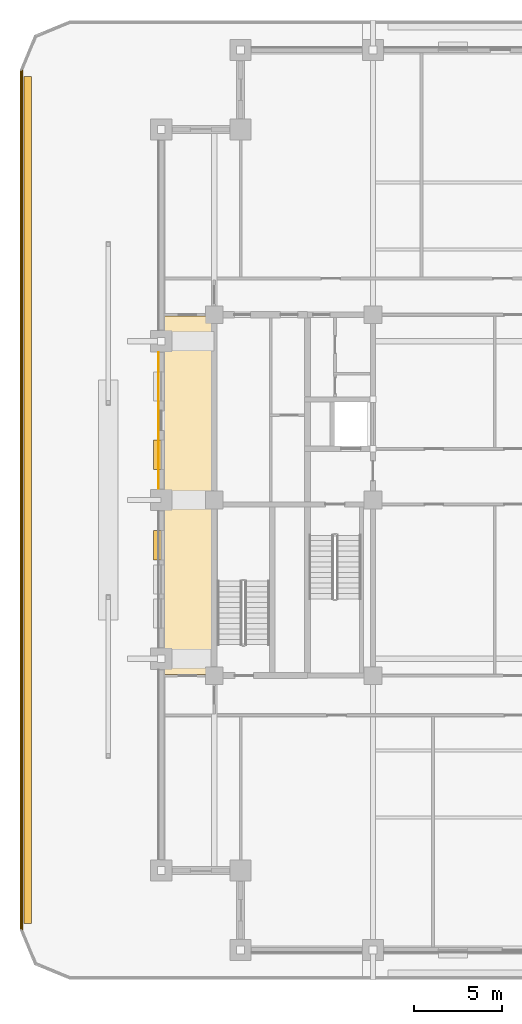
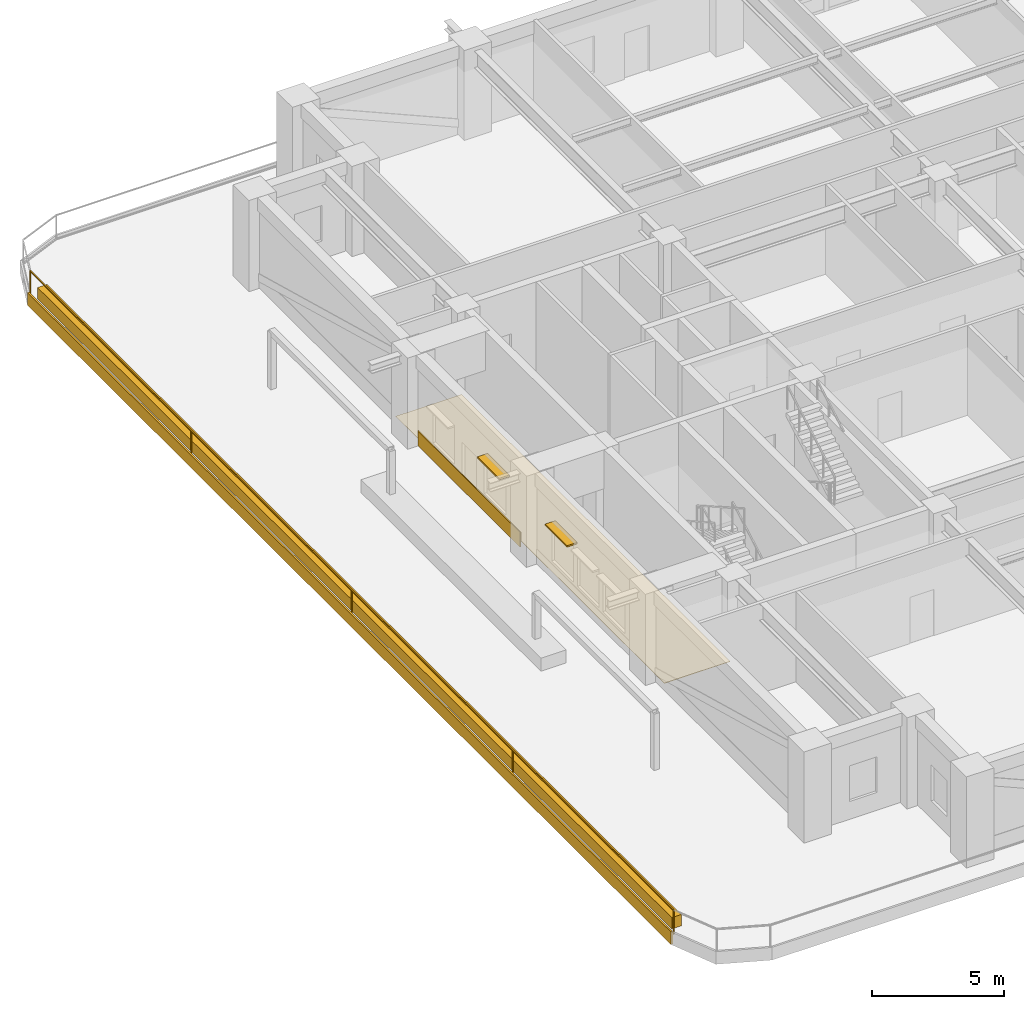
# One storey, part 15 of 21: 4 coverings, 2 shading devices, 1 railing.
"""IFC4 building model written with IfcOpenShell, lengths in metres."""

import ifcopenshell
import ifcopenshell.guid

model = None  # the IFC model being written
_history = None  # IfcOwnerHistory: only IFC2X3 demands one
_inside = {}  # id of a spatial element -> (the spatial element, [elements in it])
_under = {}  # id of a project, library or spatial element -> (it, [spatial elements below it])
_declared = {}  # id of a project -> (the project, [libraries it declares])
_typed = {}  # id of a type object -> (the type object, [elements of that type])
_made_of = {}  # id of a material, layer set ... -> (it, [elements and type objects made of it])


def new_model(schema):
    """Start an empty IFC model of exactly this schema.

    Asked for "IFC4X3", IfcOpenShell would pick the latest addendum, in which some entities
    have other attributes; the version numbers below select the first issue.
    IFC2X3 requires an IfcOwnerHistory on every rooted entity: one is made here for all.
    """
    global model, _history
    if schema == "IFC4X3":
        model = ifcopenshell.file(schema_version=(4, 3, 0, 0))
    else:
        model = ifcopenshell.file(schema=schema)
    _inside.clear()
    _under.clear()
    _declared.clear()
    _typed.clear()
    _made_of.clear()
    _history = None
    if model.schema == "IFC2X3":
        org = make("IfcOrganization", Name="unknown")
        user = make(
            "IfcPersonAndOrganization",
            ThePerson=make("IfcPerson", FamilyName="unknown"),
            TheOrganization=org,
        )
        app = make(
            "IfcApplication",
            ApplicationDeveloper=org,
            Version="unknown",
            ApplicationFullName="unknown",
            ApplicationIdentifier="unknown",
        )
        _history = make(
            "IfcOwnerHistory",
            OwningUser=user,
            OwningApplication=app,
            ChangeAction="ADDED",
            CreationDate=0,
        )
    return model


def make(cls, **values):
    """One entity of the class cls with the attributes given. An attribute that is None is left unset."""
    return model.create_entity(
        cls, **{name: value for name, value in values.items() if value is not None}
    )


def rooted(cls, **values):
    """An entity with a GlobalId (a new one), such as an element, a storey or a relation."""
    return make(cls, GlobalId=ifcopenshell.guid.new(), OwnerHistory=_history, **values)


def si_unit(unit_type, name, prefix=None):
    """IfcSIUnit, for example si_unit("LENGTHUNIT", "METRE", prefix="MILLI")."""
    return make("IfcSIUnit", UnitType=unit_type, Prefix=prefix, Name=name)


def assignment(units):
    """IfcUnitAssignment: the units of a project."""
    return None if units is None else make("IfcUnitAssignment", Units=units)


def point(xyz):
    """IfcCartesianPoint."""
    return None if xyz is None else make("IfcCartesianPoint", Coordinates=xyz)


def direction(xyz):
    """IfcDirection."""
    return None if xyz is None else make("IfcDirection", DirectionRatios=xyz)


def frame(location, z_axis=None, x_axis=None):
    """IfcAxis2Placement3D, a coordinate frame: its origin and axes. An axis left out is left unset."""
    return make(
        "IfcAxis2Placement3D",
        Location=point(location),
        Axis=direction(z_axis),
        RefDirection=direction(x_axis),
    )


def frame_2d(location, x_axis=None):
    """IfcAxis2Placement2D, a coordinate frame in the plane: its origin and x axis."""
    return make(
        "IfcAxis2Placement2D", Location=point(location), RefDirection=direction(x_axis)
    )


def origin():
    """The frame at (0, 0, 0) with its axes left unset."""
    return frame((0.0, 0.0, 0.0))


def origin_2d():
    """The frame at (0, 0) in the plane with its x axis left unset."""
    return frame_2d((0.0, 0.0))


def place(relative_to, where):
    """IfcLocalPlacement: puts the frame where relative to a parent placement (None: the world)."""
    return make(
        "IfcLocalPlacement", PlacementRelTo=relative_to, RelativePlacement=where
    )


def context(
    kind, dimensions, precision=None, world=None, true_north=None, identifier=None
):
    """IfcGeometricRepresentationContext, for example the 3D "Model" context."""
    return make(
        "IfcGeometricRepresentationContext",
        ContextIdentifier=identifier,
        ContextType=kind,
        CoordinateSpaceDimension=dimensions,
        Precision=precision,
        WorldCoordinateSystem=world,
        TrueNorth=true_north,
    )


def subcontext(parent, identifier, kind, view, scale=None):
    """IfcGeometricRepresentationSubContext, for example "Body" below "Model"."""
    return make(
        "IfcGeometricRepresentationSubContext",
        ContextIdentifier=identifier,
        ContextType=kind,
        ParentContext=parent,
        TargetScale=scale,
        TargetView=view,
    )


def project(units=None, contexts=None):
    """IfcProject with its units and contexts."""
    return rooted(
        "IfcProject",
        Name="project",
        RepresentationContexts=contexts,
        UnitsInContext=assignment(units),
    )


def spatial(cls, under=None, at=None, **own):
    """A site, building, storey or space (cls), placed at a placement, below another one or the project."""
    s = rooted(cls, ObjectPlacement=at, **own)
    if under is not None:
        _under.setdefault(under.id(), (under, []))[1].append(s)
    return s


def polyline(points):
    """IfcPolyline through the points."""
    return make("IfcPolyline", Points=[point(p) for p in points])


def profile(cls, at=None, kind="AREA", **sizes):
    """A parametric profile (cls). Its sizes go by their IFC names, for example OverallWidth=200.0."""
    return make(cls, ProfileType=kind, Position=at, **sizes)


def rectangle(**sizes):
    """IfcRectangleProfileDef."""
    return profile("IfcRectangleProfileDef", **sizes)


def outline(outer, holes=None, kind="AREA"):
    """IfcArbitraryClosedProfileDef: a profile drawn as a closed curve; with holes, ...WithVoids."""
    if holes is None:
        return make("IfcArbitraryClosedProfileDef", ProfileType=kind, OuterCurve=outer)
    return make(
        "IfcArbitraryProfileDefWithVoids",
        ProfileType=kind,
        OuterCurve=outer,
        InnerCurves=holes,
    )


def extrude(swept, where, along, depth):
    """IfcExtrudedAreaSolid: the profile swept, set in the frame where, extruded along a direction by depth."""
    return make(
        "IfcExtrudedAreaSolid",
        SweptArea=swept,
        Position=where,
        ExtrudedDirection=direction(along),
        Depth=depth,
    )


def shape(context_of_items, identifier, shape_type, items):
    """IfcShapeRepresentation: the items that make up one representation, for example the "Body"."""
    return make(
        "IfcShapeRepresentation",
        ContextOfItems=context_of_items,
        RepresentationIdentifier=identifier,
        RepresentationType=shape_type,
        Items=items,
    )


def material(Name=None, Category=None):
    """IfcMaterial."""
    return make("IfcMaterial", Name=Name, Category=Category)


def layer(
    of_material, thickness, ventilated=None, Name=None, Category=None, Priority=None
):
    """IfcMaterialLayer: one layer of a wall or slab, of a material (None: an air gap)."""
    return make(
        "IfcMaterialLayer",
        Material=of_material,
        LayerThickness=thickness,
        IsVentilated=ventilated,
        Name=Name,
        Category=Category,
        Priority=Priority,
    )


def layer_set(layers, Name=None):
    """IfcMaterialLayerSet."""
    return make("IfcMaterialLayerSet", MaterialLayers=layers, LayerSetName=Name)


def made_of(thing, what):
    """Note that an element or type object is made of a material, layer set ...; save() writes the relation."""
    if what is not None:
        _made_of.setdefault(what.id(), (what, []))[1].append(thing)
    return thing


def type_object(cls, material=None, **own):
    """A type object (cls), such as IfcWallType, which elements share."""
    return made_of(rooted(cls, **own), material)


def element(
    cls,
    number,
    at=None,
    inside=None,
    cuts=None,
    type_object=None,
    material=None,
    context=None,
    identifier="Body",
    shape_type=None,
    held_by="IfcProductDefinitionShape",
    body=None,
    shapes=None,
    **own,
):
    """One element of the class cls, such as IfcWall. Its Tag is "e" and its number.

    at: its placement. inside: the storey or other place that contains it. cuts: it is an
    opening in that element (IfcRelVoidsElement). A single representation is given by context,
    identifier, shape_type and body (its items); several are given by shapes. held_by: the class
    of the entity that holds the representations. save() writes the other relations.
    """
    e = rooted(cls, Tag="e%d" % number, ObjectPlacement=at, **own)
    if body is not None:
        shapes = [shape(context, identifier, shape_type, body)]
    if shapes is not None:
        e.Representation = make(held_by, Representations=shapes)
    if inside is not None:
        _inside.setdefault(inside.id(), (inside, []))[1].append(e)
    if cuts is not None:
        rooted(
            "IfcRelVoidsElement", RelatingBuildingElement=cuts, RelatedOpeningElement=e
        )
    if type_object is not None:
        _typed.setdefault(type_object.id(), (type_object, []))[1].append(e)
    return made_of(e, material)


def aggregate(whole, parts):
    """IfcRelAggregates: a whole, such as a stair, and the parts it consists of."""
    return rooted("IfcRelAggregates", RelatingObject=whole, RelatedObjects=parts)


def save(model, path):
    """Write the relations noted so far, then the file.

    IfcRelAggregates (storeys below a building ...), IfcRelContainedInSpatialStructure (elements
    in a storey), IfcRelDefinesByType, IfcRelAssociatesMaterial and IfcRelDeclares: one each for
    every whole, place, type object, material and project.
    """
    for whole, parts in _under.values():
        aggregate(whole, parts)
    for where, things in _inside.values():
        rooted(
            "IfcRelContainedInSpatialStructure",
            RelatedElements=things,
            RelatingStructure=where,
        )
    for kind, things in _typed.values():
        rooted("IfcRelDefinesByType", RelatedObjects=things, RelatingType=kind)
    for what, things in _made_of.values():
        rooted("IfcRelAssociatesMaterial", RelatedObjects=things, RelatingMaterial=what)
    for by, libraries in _declared.values():
        rooted("IfcRelDeclares", RelatingContext=by, RelatedDefinitions=libraries)
    model.write(path)


model = new_model("IFC4")

# Units and contexts
model_context = context("Model", 3, precision=1e-05, world=origin(), true_north=direction((0.0, 1.0)))
body_context = subcontext(model_context, "Body", "Model", "MODEL_VIEW")
ifc_project = project(units=[si_unit("LENGTHUNIT", "METRE"), si_unit("AREAUNIT", "SQUARE_METRE"), si_unit("VOLUMEUNIT", "CUBIC_METRE"), si_unit("PLANEANGLEUNIT", "RADIAN"), si_unit("MASSUNIT", "GRAM", prefix="KILO")], contexts=[model_context])

# Site, building, storey
site_placement = place(None, origin())
site = spatial("IfcSite", under=ifc_project, at=site_placement, CompositionType="ELEMENT")
building_placement = place(site_placement, origin())
building = spatial("IfcBuilding", under=site, at=building_placement, Name="Zulmaris Gate Convention Tower", CompositionType="ELEMENT")
storey_placement = place(building_placement, frame((0.0, 0.0, 86.93994140625)))
storey = spatial("IfcBuildingStorey", under=building, at=storey_placement, Name="L21", CompositionType="ELEMENT", Elevation=86.93994140625)

# Coverings
ifc_material_1 = material(Name="Precast concrete C40/50", Category="concrete")
ifc_layer_1 = layer(ifc_material_1, 0.0400390625, Name="Precast concrete C40/50")
ifc_layer_set_1 = layer_set([ifc_layer_1], Name="Precast concrete C40/50")
covering_type_1 = type_object("IfcCoveringType", Name="CLAD-SPANDREL-PRECAST", PredefinedType="CLADDING", material=ifc_layer_set_1)
covering_1_placement = place(storey_placement, frame((-23.14990234375, 8.3701171875, 0.0), z_axis=(0.0, 0.0, 1.0), x_axis=(0.0, -1.0, 0.0)))
element("IfcCovering", 1, at=covering_1_placement, inside=storey, type_object=covering_type_1, Name="CLD-L21-W-2_0", PredefinedType="CLADDING", context=body_context, shape_type="SweptSolid", body=[
    extrude(rectangle(XDim=7.740234375, YDim=0.0400390625, at=frame_2d((3.8701171875, 0.0))), origin(), (0.0, 0.0, 1.0), 0.679931640625),
])
ifc_material_2 = material(Name="White Glazed Architectural Precast Concrete C40/50", Category="concrete")
ifc_layer_2 = layer(ifc_material_2, 0.080078125, Name="White Glazed Architectural Precast Concrete C40/50")
ifc_layer_set_2 = layer_set([ifc_layer_2], Name="White Glazed Architectural Precast Concrete C40/50")
covering_type_2 = type_object("IfcCoveringType", Name="CLAD-TRAY-FASCIA", PredefinedType="CLADDING", material=ifc_layer_set_2)
covering_2_placement = place(storey_placement, frame((-30.9599609375, 24.35009765625, -0.465087890625), z_axis=(0.0, 0.0, 1.0), x_axis=(0.0, -1.0, 0.0)))
element("IfcCovering", 2, at=covering_2_placement, inside=storey, type_object=covering_type_2, Name="FSC-L21-TR-11", PredefinedType="CLADDING", context=body_context, shape_type="SweptSolid", body=[
    extrude(rectangle(XDim=48.7001953125, YDim=0.080078125, at=frame_2d((24.35009765625, 0.0))), origin(), (0.0, 0.0, 1.0), 0.5849609375),
])
ifc_material_3 = material(Name="Woven Acoustic Wool Carpet Tile")
ifc_layer_3 = layer(ifc_material_3, 0.02001953125, Name="Woven Acoustic Wool Carpet Tile")
ifc_layer_set_3 = layer_set([ifc_layer_3], Name="Woven Acoustic Wool Carpet Tile")
covering_type_3 = type_object("IfcCoveringType", Name="FLR-CARPET-12", PredefinedType="FLOORING", material=ifc_layer_set_3)
covering_3_placement = place(storey_placement, origin())
element("IfcCovering", 3, at=covering_3_placement, inside=storey, type_object=covering_type_3, Name="FLR-L21-R59", PredefinedType="FLOORING", context=body_context, shape_type="SweptSolid", body=[
    extrude(outline(polyline([(-22.93994140625, -9.889892578125), (-20.06005859375, -9.889892578125), (-20.06005859375, 10.43994140625), (-22.93994140625, 10.43994140625), (-22.93994140625, -9.889892578125)])), origin(), (0.0, 0.0, 1.0), 0.02001953125),
])
ifc_material_4 = material(Name="Botanical Green Glazed Precast Concrete C40/50", Category="concrete")
ifc_layer_4 = layer(ifc_material_4, 0.419921875, Name="Botanical Green Glazed Precast Concrete C40/50")
ifc_layer_set_4 = layer_set([ifc_layer_4], Name="Botanical Green Glazed Precast Concrete C40/50")
covering_type_4 = type_object("IfcCoveringType", Name="PLANTER-BOX-200", PredefinedType="CLADDING", material=ifc_layer_set_4)
covering_4_placement = place(storey_placement, frame((0.0, 0.0, -0.0400390625)))
element("IfcCovering", 4, at=covering_4_placement, inside=storey, type_object=covering_type_4, Name="L21 W Full-Length Balcony Tree Planter Trough", PredefinedType="CLADDING", context=body_context, shape_type="SweptSolid", body=[
    extrude(outline(polyline([(-30.760009765625, -24.0), (-30.340087890625, -24.0), (-30.340087890625, 24.0), (-30.760009765625, 24.0), (-30.760009765625, -24.0)])), origin(), (0.0, 0.0, 1.0), 0.52001953125),
])

# Railing
ifc_material_5 = material(Name="Laminated Glass and Stainless Steel", Category="steel")
railing_type = type_object("IfcRailingType", Name="RL-BALC-1150", PredefinedType="BALUSTRADE", material=ifc_material_5)
railing_placement = place(storey_placement, frame((-30.8798828125, 24.35009765625, -0.0400390625)))
element("IfcRailing", 5, at=railing_placement, inside=storey, type_object=railing_type, Name="RL-L21-BALC-W", PredefinedType="BALUSTRADE", context=body_context, shape_type="SweptSolid", body=[
    extrude(rectangle(XDim=0.048095703125, YDim=0.048095703125, at=origin_2d()), frame((0.0, 0.0, 1.1259765625), z_axis=(0.0, -1.0, 0.0), x_axis=(1.0, 0.0, 0.0)), (0.0, 0.0, 1.0), 48.7001953125),
    extrude(rectangle(XDim=0.048095703125, YDim=0.048095703125, at=origin_2d()), frame((0.0, 0.0, 0.02392578125), z_axis=(0.0, -1.0, 0.0), x_axis=(1.0, 0.0, 0.0)), (0.0, 0.0, 1.0), 48.7001953125),
    extrude(rectangle(XDim=0.0419921875, YDim=0.0419921875, at=origin_2d()), origin(), (0.0, 0.0, 1.0), 1.101806640625),
    extrude(rectangle(XDim=0.0419921875, YDim=0.0419921875, at=origin_2d()), frame((0.0, -12.175048828125, 0.0)), (0.0, 0.0, 1.0), 1.101806640625),
    extrude(rectangle(XDim=0.0419921875, YDim=0.0419921875, at=origin_2d()), frame((0.0, -24.35009765625, 0.0)), (0.0, 0.0, 1.0), 1.101806640625),
    extrude(rectangle(XDim=0.0419921875, YDim=0.0419921875, at=origin_2d()), frame((0.0, -36.525146484375, 0.0)), (0.0, 0.0, 1.0), 1.101806640625),
    extrude(rectangle(XDim=0.0419921875, YDim=0.0419921875, at=origin_2d()), frame((0.0, -48.7001953125, 0.0)), (0.0, 0.0, 1.0), 1.101806640625),
])

# Shading devices
ifc_material_6 = material(Name="Glazed Ceramic Terracotta", Category="masonry")
ifc_layer_5 = layer(ifc_material_6, 0.070068359375, Name="Glazed Ceramic Terracotta")
ifc_layer_set_5 = layer_set([ifc_layer_5], Name="Glazed Ceramic Terracotta")
shading_device_type = type_object("IfcShadingDeviceType", Name="SHD-SUNSHADE-TC", PredefinedType="AWNING", material=ifc_layer_set_5)
for number, where, z_axis, x_axis, name in (
    (6, (-23.219970703125, -1.739990234375, 2.530029296875), (0.0, 0.0, 1.0), (0.0, -1.0, 0.0), "SHD-EW-L21-W-1_0-1"),
    (7, (-23.219970703125, 3.389892578125, 2.530029296875), (0.0, 0.0, 1.0), (0.0, -1.0, 0.0), "SHD-EW-L21-W-2_0-3"),
):
    element("IfcShadingDevice", number, at=place(storey_placement, frame(where, z_axis=z_axis, x_axis=x_axis)), inside=storey, type_object=shading_device_type, Name=name, PredefinedType="AWNING", context=body_context, shape_type="SweptSolid", body=[
        extrude(rectangle(XDim=1.64990234375, YDim=0.43994140625, at=frame_2d((0.824951171875, 0.0))), origin(), (0.0, 0.0, 1.0), 0.06982421875),
    ])

save(model, "model.ifc")
